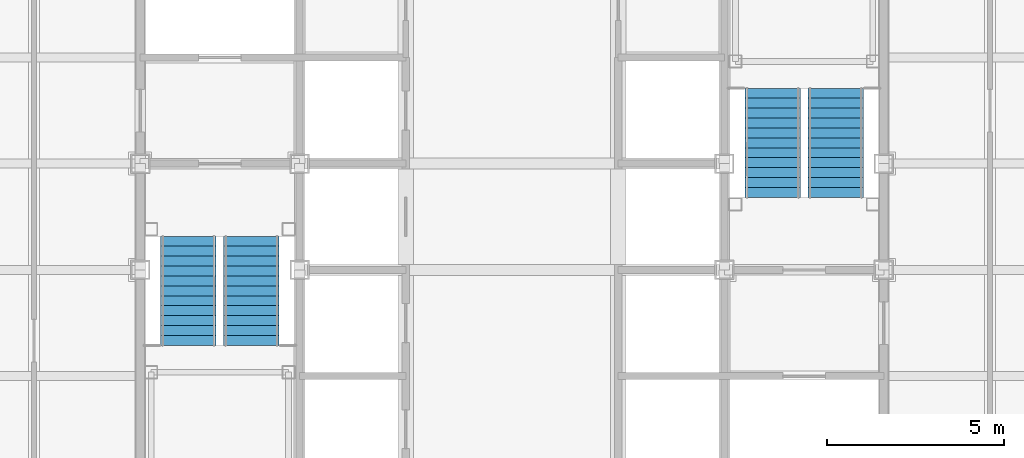
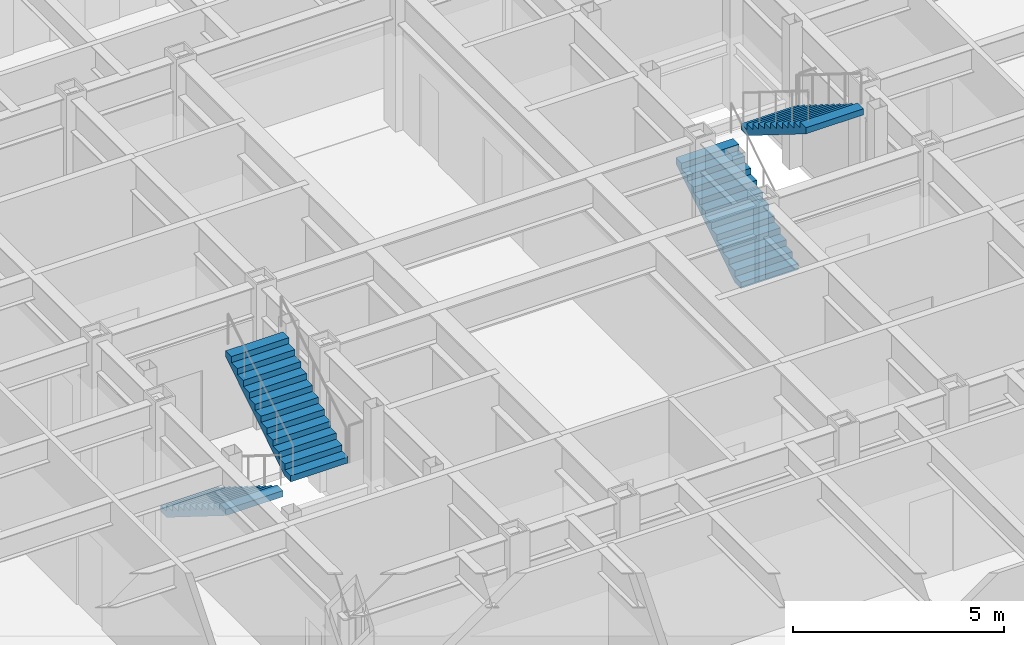
# One storey, part 14 of 16: 4 stair flights, 2 elements without a shape of their own.
"""IFC4 building model written with IfcOpenShell, lengths in metres."""

from ifc_helpers import new_model, si_unit, direction, frame, origin, place, context, subcontext, project, spatial, faceted_brep, material, type_object, element, aggregate, save


model = new_model("IFC4")

# Units and contexts
model_context = context("Model", 3, precision=1e-05, world=origin(), true_north=direction((0.0, 1.0)))
body_context = subcontext(model_context, "Body", "Model", "MODEL_VIEW")
ifc_project = project(units=[si_unit("LENGTHUNIT", "METRE"), si_unit("AREAUNIT", "SQUARE_METRE"), si_unit("VOLUMEUNIT", "CUBIC_METRE"), si_unit("PLANEANGLEUNIT", "RADIAN"), si_unit("MASSUNIT", "GRAM", prefix="KILO")], contexts=[model_context])

# Site, building, storey
site_placement = place(None, origin())
site = spatial("IfcSite", under=ifc_project, at=site_placement, CompositionType="ELEMENT")
building_placement = place(site_placement, origin())
building = spatial("IfcBuilding", under=site, at=building_placement, Name="Chuquiago Exchange Tower", CompositionType="ELEMENT")
storey_placement = place(building_placement, frame((0.0, 0.0, 243.300048828125)))
storey = spatial("IfcBuildingStorey", under=building, at=storey_placement, Name="L54", CompositionType="ELEMENT", Elevation=243.300048828125)

# Stair, stair flights
ifc_material_1 = material(Name="Concrete C30/37, precast", Category="concrete")
stair_type_1 = type_object("IfcStairType", Name="ST1 half-turn stair 4200", PredefinedType="HALF_TURN_STAIR", material=ifc_material_1)
stair_1_placement = place(storey_placement, origin())
stair_1 = element("IfcStair", 1, at=stair_1_placement, inside=storey, type_object=stair_type_1, Name="Stair ST1 L54", PredefinedType="HALF_TURN_STAIR")
ifc_material_2 = material(Name="Concrete C30/37, precast", Category="concrete")
stair_flight_type = type_object("IfcStairFlightType", Name="ST-F flight 1570 for 4200 storey", PredefinedType="STRAIGHT", material=ifc_material_2)
stair_flight_1_placement = place(storey_placement, frame((13.360107421875, 21.949951171875, 0.0), z_axis=(0.0, 0.0, 1.0), x_axis=(0.0, -1.0, 0.0)))
stair_flight_1 = element("IfcStairFlight", 2, at=stair_flight_1_placement, type_object=stair_flight_type, Name="ST1 flight 1", NumberOfRisers=12, NumberOfTreads=11, PredefinedType="STRAIGHT", RiserHeight=0.175, TreadLength=0.28, context=body_context, shape_type="Brep", body=[
    faceted_brep([(0.0, 0.78515625, 0.0), (0.0, 0.78515625, 0.175048828125), (0.280029296875, 0.78515625, 0.175048828125), (0.280029296875, 0.78515625, 0.35009765625), (0.56005859375, 0.78515625, 0.35009765625), (0.56005859375, 0.78515625, 0.52490234375), (0.840087890625, 0.78515625, 0.52490234375), (0.840087890625, 0.78515625, 0.699951171875), (1.1201171875, 0.78515625, 0.699951171875), (1.1201171875, 0.78515625, 0.875), (1.39990234375, 0.78515625, 0.875), (1.39990234375, 0.78515625, 1.050048828125), (1.679931640625, 0.78515625, 1.050048828125), (1.679931640625, 0.78515625, 1.22509765625), (1.9599609375, 0.78515625, 1.22509765625), (1.9599609375, 0.78515625, 1.39990234375), (2.239990234375, 0.78515625, 1.39990234375), (2.239990234375, 0.78515625, 1.574951171875), (2.52001953125, 0.78515625, 1.574951171875), (2.52001953125, 0.78515625, 1.75), (2.800048828125, 0.78515625, 1.75), (2.800048828125, 0.78515625, 1.925048828125), (3.080078125, 0.78515625, 1.925048828125), (3.080078125, 0.78515625, 1.748291015625), (0.28271484375, 0.78515625, 0.0), (0.28271484375, -0.78515625, 0.0), (3.080078125, -0.78515625, 1.748291015625), (3.080078125, -0.78515625, 1.925048828125), (2.800048828125, -0.78515625, 1.925048828125), (2.800048828125, -0.78515625, 1.75), (2.52001953125, -0.78515625, 1.75), (2.52001953125, -0.78515625, 1.574951171875), (2.239990234375, -0.78515625, 1.574951171875), (2.239990234375, -0.78515625, 1.39990234375), (1.9599609375, -0.78515625, 1.39990234375), (1.9599609375, -0.78515625, 1.22509765625), (1.679931640625, -0.78515625, 1.22509765625), (1.679931640625, -0.78515625, 1.050048828125), (1.39990234375, -0.78515625, 1.050048828125), (1.39990234375, -0.78515625, 0.875), (1.1201171875, -0.78515625, 0.875), (1.1201171875, -0.78515625, 0.699951171875), (0.840087890625, -0.78515625, 0.699951171875), (0.840087890625, -0.78515625, 0.52490234375), (0.56005859375, -0.78515625, 0.52490234375), (0.56005859375, -0.78515625, 0.35009765625), (0.280029296875, -0.78515625, 0.35009765625), (0.280029296875, -0.78515625, 0.175048828125), (0.0, -0.78515625, 0.175048828125), (0.0, -0.78515625, 0.0), (0.0, 0.392578125, 0.0), (0.0, 0.392578125, 0.175048828125), (0.0, 0.0, 0.0), (0.0, 0.0, 0.175048828125), (0.0, -0.392578125, 0.0), (0.0, -0.392578125, 0.175048828125), (0.280029296875, 0.392578125, 0.175048828125), (0.280029296875, 0.0, 0.175048828125), (0.280029296875, -0.392578125, 0.175048828125), (0.280029296875, 0.392578125, 0.35009765625), (0.280029296875, 0.0, 0.35009765625), (0.280029296875, -0.392578125, 0.35009765625), (0.56005859375, 0.392578125, 0.35009765625), (0.56005859375, 0.0, 0.35009765625), (0.56005859375, -0.392578125, 0.35009765625), (0.56005859375, 0.392578125, 0.52490234375), (0.56005859375, 0.0, 0.52490234375), (0.56005859375, -0.392578125, 0.52490234375), (0.840087890625, 0.392578125, 0.52490234375), (0.840087890625, 0.0, 0.52490234375), (0.840087890625, -0.392578125, 0.52490234375), (0.840087890625, 0.392578125, 0.699951171875), (0.840087890625, 0.0, 0.699951171875), (0.840087890625, -0.392578125, 0.699951171875), (1.1201171875, 0.392578125, 0.699951171875), (1.1201171875, 0.0, 0.699951171875), (1.1201171875, -0.392578125, 0.699951171875), (1.1201171875, 0.392578125, 0.875), (1.1201171875, 0.0, 0.875), (1.1201171875, -0.392578125, 0.875), (1.39990234375, 0.392578125, 0.875), (1.39990234375, 0.0, 0.875), (1.39990234375, -0.392578125, 0.875), (1.39990234375, 0.392578125, 1.050048828125), (1.39990234375, 0.0, 1.050048828125), (1.39990234375, -0.392578125, 1.050048828125), (1.679931640625, 0.392578125, 1.050048828125), (1.679931640625, 0.0, 1.050048828125), (1.679931640625, -0.392578125, 1.050048828125), (1.679931640625, 0.392578125, 1.22509765625), (1.679931640625, 0.0, 1.22509765625), (1.679931640625, -0.392578125, 1.22509765625), (1.9599609375, 0.392578125, 1.22509765625), (1.9599609375, 0.0, 1.22509765625), (1.9599609375, -0.392578125, 1.22509765625), (1.9599609375, 0.392578125, 1.39990234375), (1.9599609375, 0.0, 1.39990234375), (1.9599609375, -0.392578125, 1.39990234375), (2.239990234375, 0.392578125, 1.39990234375), (2.239990234375, 0.0, 1.39990234375), (2.239990234375, -0.392578125, 1.39990234375), (2.239990234375, 0.392578125, 1.574951171875), (2.239990234375, 0.0, 1.574951171875), (2.239990234375, -0.392578125, 1.574951171875), (2.52001953125, 0.392578125, 1.574951171875), (2.52001953125, 0.0, 1.574951171875), (2.52001953125, -0.392578125, 1.574951171875), (2.52001953125, 0.392578125, 1.75), (2.52001953125, 0.0, 1.75), (2.52001953125, -0.392578125, 1.75), (2.800048828125, 0.392578125, 1.75), (2.800048828125, 0.0, 1.75), (2.800048828125, -0.392578125, 1.75), (2.800048828125, 0.392578125, 1.925048828125), (2.800048828125, 0.0, 1.925048828125), (2.800048828125, -0.392578125, 1.925048828125), (3.080078125, 0.392578125, 1.925048828125), (3.080078125, 0.0, 1.925048828125), (3.080078125, -0.392578125, 1.925048828125), (3.080078125, 0.392578125, 1.748291015625), (3.080078125, 0.0, 1.748291015625), (3.080078125, -0.392578125, 1.748291015625), (0.28271484375, 0.392578125, 0.0), (0.28271484375, 0.0, 0.0), (0.28271484375, -0.392578125, 0.0)], [[[0, 1, 2, 3, 4, 5, 6, 7, 8, 9, 10, 11, 12, 13, 14, 15, 16, 17, 18, 19, 20, 21, 22, 23, 24]], [[25, 26, 27, 28, 29, 30, 31, 32, 33, 34, 35, 36, 37, 38, 39, 40, 41, 42, 43, 44, 45, 46, 47, 48, 49]], [[1, 0, 50, 51]], [[51, 50, 52, 53]], [[53, 52, 54, 55]], [[55, 54, 49, 48]], [[2, 1, 51, 56]], [[56, 51, 53, 57]], [[57, 53, 55, 58]], [[58, 55, 48, 47]], [[3, 2, 56, 59]], [[59, 56, 57, 60]], [[60, 57, 58, 61]], [[61, 58, 47, 46]], [[4, 3, 59, 62]], [[62, 59, 60, 63]], [[63, 60, 61, 64]], [[64, 61, 46, 45]], [[5, 4, 62, 65]], [[65, 62, 63, 66]], [[66, 63, 64, 67]], [[67, 64, 45, 44]], [[6, 5, 65, 68]], [[68, 65, 66, 69]], [[69, 66, 67, 70]], [[70, 67, 44, 43]], [[7, 6, 68, 71]], [[71, 68, 69, 72]], [[72, 69, 70, 73]], [[73, 70, 43, 42]], [[8, 7, 71, 74]], [[74, 71, 72, 75]], [[75, 72, 73, 76]], [[76, 73, 42, 41]], [[9, 8, 74, 77]], [[77, 74, 75, 78]], [[78, 75, 76, 79]], [[79, 76, 41, 40]], [[10, 9, 77, 80]], [[80, 77, 78, 81]], [[81, 78, 79, 82]], [[82, 79, 40, 39]], [[11, 10, 80, 83]], [[83, 80, 81, 84]], [[84, 81, 82, 85]], [[85, 82, 39, 38]], [[12, 11, 83, 86]], [[86, 83, 84, 87]], [[87, 84, 85, 88]], [[88, 85, 38, 37]], [[13, 12, 86, 89]], [[89, 86, 87, 90]], [[90, 87, 88, 91]], [[91, 88, 37, 36]], [[14, 13, 89, 92]], [[92, 89, 90, 93]], [[93, 90, 91, 94]], [[94, 91, 36, 35]], [[15, 14, 92, 95]], [[95, 92, 93, 96]], [[96, 93, 94, 97]], [[97, 94, 35, 34]], [[16, 15, 95, 98]], [[98, 95, 96, 99]], [[99, 96, 97, 100]], [[100, 97, 34, 33]], [[17, 16, 98, 101]], [[101, 98, 99, 102]], [[102, 99, 100, 103]], [[103, 100, 33, 32]], [[18, 17, 101, 104]], [[104, 101, 102, 105]], [[105, 102, 103, 106]], [[106, 103, 32, 31]], [[19, 18, 104, 107]], [[107, 104, 105, 108]], [[108, 105, 106, 109]], [[109, 106, 31, 30]], [[20, 19, 107, 110]], [[110, 107, 108, 111]], [[111, 108, 109, 112]], [[112, 109, 30, 29]], [[21, 20, 110, 113]], [[113, 110, 111, 114]], [[114, 111, 112, 115]], [[115, 112, 29, 28]], [[22, 21, 113, 116]], [[116, 113, 114, 117]], [[117, 114, 115, 118]], [[118, 115, 28, 27]], [[23, 22, 116, 119]], [[119, 116, 117, 120]], [[120, 117, 118, 121]], [[121, 118, 27, 26]], [[24, 23, 119, 122]], [[122, 119, 120, 123]], [[123, 120, 121, 124]], [[124, 121, 26, 25]], [[0, 24, 122, 50]], [[50, 122, 123, 52]], [[52, 123, 124, 54]], [[54, 124, 25, 49]]]),
])
stair_flight_2_placement = place(storey_placement, frame((15.139892578125, 18.8701171875, 2.099853515625), z_axis=(0.0, 0.0, 1.0), x_axis=(0.0, 1.0, 0.0)))
stair_flight_2 = element("IfcStairFlight", 3, at=stair_flight_2_placement, type_object=stair_flight_type, Name="ST1 flight 2", NumberOfRisers=12, NumberOfTreads=11, PredefinedType="STRAIGHT", RiserHeight=0.175, TreadLength=0.28, context=body_context, shape_type="Brep", body=[
    faceted_brep([(0.0, 0.78515625, 0.0), (0.0, 0.78515625, 0.175048828125), (0.280029296875, 0.78515625, 0.175048828125), (0.280029296875, 0.78515625, 0.35009765625), (0.56005859375, 0.78515625, 0.35009765625), (0.56005859375, 0.78515625, 0.52490234375), (0.840087890625, 0.78515625, 0.52490234375), (0.840087890625, 0.78515625, 0.699951171875), (1.1201171875, 0.78515625, 0.699951171875), (1.1201171875, 0.78515625, 0.875), (1.39990234375, 0.78515625, 0.875), (1.39990234375, 0.78515625, 1.050048828125), (1.679931640625, 0.78515625, 1.050048828125), (1.679931640625, 0.78515625, 1.22509765625), (1.9599609375, 0.78515625, 1.22509765625), (1.9599609375, 0.78515625, 1.39990234375), (2.239990234375, 0.78515625, 1.39990234375), (2.239990234375, 0.78515625, 1.574951171875), (2.52001953125, 0.78515625, 1.574951171875), (2.52001953125, 0.78515625, 1.75), (2.800048828125, 0.78515625, 1.75), (2.800048828125, 0.78515625, 1.925048828125), (3.080078125, 0.78515625, 1.925048828125), (3.080078125, 0.78515625, 1.748291015625), (0.28271484375, 0.78515625, 0.0), (0.28271484375, -0.78515625, 0.0), (3.080078125, -0.78515625, 1.748291015625), (3.080078125, -0.78515625, 1.925048828125), (2.800048828125, -0.78515625, 1.925048828125), (2.800048828125, -0.78515625, 1.75), (2.52001953125, -0.78515625, 1.75), (2.52001953125, -0.78515625, 1.574951171875), (2.239990234375, -0.78515625, 1.574951171875), (2.239990234375, -0.78515625, 1.39990234375), (1.9599609375, -0.78515625, 1.39990234375), (1.9599609375, -0.78515625, 1.22509765625), (1.679931640625, -0.78515625, 1.22509765625), (1.679931640625, -0.78515625, 1.050048828125), (1.39990234375, -0.78515625, 1.050048828125), (1.39990234375, -0.78515625, 0.875), (1.1201171875, -0.78515625, 0.875), (1.1201171875, -0.78515625, 0.699951171875), (0.840087890625, -0.78515625, 0.699951171875), (0.840087890625, -0.78515625, 0.52490234375), (0.56005859375, -0.78515625, 0.52490234375), (0.56005859375, -0.78515625, 0.35009765625), (0.280029296875, -0.78515625, 0.35009765625), (0.280029296875, -0.78515625, 0.175048828125), (0.0, -0.78515625, 0.175048828125), (0.0, -0.78515625, 0.0), (0.0, 0.392578125, 0.0), (0.0, 0.392578125, 0.175048828125), (0.0, 0.0, 0.0), (0.0, 0.0, 0.175048828125), (0.0, -0.392578125, 0.0), (0.0, -0.392578125, 0.175048828125), (0.280029296875, 0.392578125, 0.175048828125), (0.280029296875, 0.0, 0.175048828125), (0.280029296875, -0.392578125, 0.175048828125), (0.280029296875, 0.392578125, 0.35009765625), (0.280029296875, 0.0, 0.35009765625), (0.280029296875, -0.392578125, 0.35009765625), (0.56005859375, 0.392578125, 0.35009765625), (0.56005859375, 0.0, 0.35009765625), (0.56005859375, -0.392578125, 0.35009765625), (0.56005859375, 0.392578125, 0.52490234375), (0.56005859375, 0.0, 0.52490234375), (0.56005859375, -0.392578125, 0.52490234375), (0.840087890625, 0.392578125, 0.52490234375), (0.840087890625, 0.0, 0.52490234375), (0.840087890625, -0.392578125, 0.52490234375), (0.840087890625, 0.392578125, 0.699951171875), (0.840087890625, 0.0, 0.699951171875), (0.840087890625, -0.392578125, 0.699951171875), (1.1201171875, 0.392578125, 0.699951171875), (1.1201171875, 0.0, 0.699951171875), (1.1201171875, -0.392578125, 0.699951171875), (1.1201171875, 0.392578125, 0.875), (1.1201171875, 0.0, 0.875), (1.1201171875, -0.392578125, 0.875), (1.39990234375, 0.392578125, 0.875), (1.39990234375, 0.0, 0.875), (1.39990234375, -0.392578125, 0.875), (1.39990234375, 0.392578125, 1.050048828125), (1.39990234375, 0.0, 1.050048828125), (1.39990234375, -0.392578125, 1.050048828125), (1.679931640625, 0.392578125, 1.050048828125), (1.679931640625, 0.0, 1.050048828125), (1.679931640625, -0.392578125, 1.050048828125), (1.679931640625, 0.392578125, 1.22509765625), (1.679931640625, 0.0, 1.22509765625), (1.679931640625, -0.392578125, 1.22509765625), (1.9599609375, 0.392578125, 1.22509765625), (1.9599609375, 0.0, 1.22509765625), (1.9599609375, -0.392578125, 1.22509765625), (1.9599609375, 0.392578125, 1.39990234375), (1.9599609375, 0.0, 1.39990234375), (1.9599609375, -0.392578125, 1.39990234375), (2.239990234375, 0.392578125, 1.39990234375), (2.239990234375, 0.0, 1.39990234375), (2.239990234375, -0.392578125, 1.39990234375), (2.239990234375, 0.392578125, 1.574951171875), (2.239990234375, 0.0, 1.574951171875), (2.239990234375, -0.392578125, 1.574951171875), (2.52001953125, 0.392578125, 1.574951171875), (2.52001953125, 0.0, 1.574951171875), (2.52001953125, -0.392578125, 1.574951171875), (2.52001953125, 0.392578125, 1.75), (2.52001953125, 0.0, 1.75), (2.52001953125, -0.392578125, 1.75), (2.800048828125, 0.392578125, 1.75), (2.800048828125, 0.0, 1.75), (2.800048828125, -0.392578125, 1.75), (2.800048828125, 0.392578125, 1.925048828125), (2.800048828125, 0.0, 1.925048828125), (2.800048828125, -0.392578125, 1.925048828125), (3.080078125, 0.392578125, 1.925048828125), (3.080078125, 0.0, 1.925048828125), (3.080078125, -0.392578125, 1.925048828125), (3.080078125, 0.392578125, 1.748291015625), (3.080078125, 0.0, 1.748291015625), (3.080078125, -0.392578125, 1.748291015625), (0.28271484375, 0.392578125, 0.0), (0.28271484375, 0.0, 0.0), (0.28271484375, -0.392578125, 0.0)], [[[0, 1, 2, 3, 4, 5, 6, 7, 8, 9, 10, 11, 12, 13, 14, 15, 16, 17, 18, 19, 20, 21, 22, 23, 24]], [[25, 26, 27, 28, 29, 30, 31, 32, 33, 34, 35, 36, 37, 38, 39, 40, 41, 42, 43, 44, 45, 46, 47, 48, 49]], [[1, 0, 50, 51]], [[51, 50, 52, 53]], [[53, 52, 54, 55]], [[55, 54, 49, 48]], [[2, 1, 51, 56]], [[56, 51, 53, 57]], [[57, 53, 55, 58]], [[58, 55, 48, 47]], [[3, 2, 56, 59]], [[59, 56, 57, 60]], [[60, 57, 58, 61]], [[61, 58, 47, 46]], [[4, 3, 59, 62]], [[62, 59, 60, 63]], [[63, 60, 61, 64]], [[64, 61, 46, 45]], [[5, 4, 62, 65]], [[65, 62, 63, 66]], [[66, 63, 64, 67]], [[67, 64, 45, 44]], [[6, 5, 65, 68]], [[68, 65, 66, 69]], [[69, 66, 67, 70]], [[70, 67, 44, 43]], [[7, 6, 68, 71]], [[71, 68, 69, 72]], [[72, 69, 70, 73]], [[73, 70, 43, 42]], [[8, 7, 71, 74]], [[74, 71, 72, 75]], [[75, 72, 73, 76]], [[76, 73, 42, 41]], [[9, 8, 74, 77]], [[77, 74, 75, 78]], [[78, 75, 76, 79]], [[79, 76, 41, 40]], [[10, 9, 77, 80]], [[80, 77, 78, 81]], [[81, 78, 79, 82]], [[82, 79, 40, 39]], [[11, 10, 80, 83]], [[83, 80, 81, 84]], [[84, 81, 82, 85]], [[85, 82, 39, 38]], [[12, 11, 83, 86]], [[86, 83, 84, 87]], [[87, 84, 85, 88]], [[88, 85, 38, 37]], [[13, 12, 86, 89]], [[89, 86, 87, 90]], [[90, 87, 88, 91]], [[91, 88, 37, 36]], [[14, 13, 89, 92]], [[92, 89, 90, 93]], [[93, 90, 91, 94]], [[94, 91, 36, 35]], [[15, 14, 92, 95]], [[95, 92, 93, 96]], [[96, 93, 94, 97]], [[97, 94, 35, 34]], [[16, 15, 95, 98]], [[98, 95, 96, 99]], [[99, 96, 97, 100]], [[100, 97, 34, 33]], [[17, 16, 98, 101]], [[101, 98, 99, 102]], [[102, 99, 100, 103]], [[103, 100, 33, 32]], [[18, 17, 101, 104]], [[104, 101, 102, 105]], [[105, 102, 103, 106]], [[106, 103, 32, 31]], [[19, 18, 104, 107]], [[107, 104, 105, 108]], [[108, 105, 106, 109]], [[109, 106, 31, 30]], [[20, 19, 107, 110]], [[110, 107, 108, 111]], [[111, 108, 109, 112]], [[112, 109, 30, 29]], [[21, 20, 110, 113]], [[113, 110, 111, 114]], [[114, 111, 112, 115]], [[115, 112, 29, 28]], [[22, 21, 113, 116]], [[116, 113, 114, 117]], [[117, 114, 115, 118]], [[118, 115, 28, 27]], [[23, 22, 116, 119]], [[119, 116, 117, 120]], [[120, 117, 118, 121]], [[121, 118, 27, 26]], [[24, 23, 119, 122]], [[122, 119, 120, 123]], [[123, 120, 121, 124]], [[124, 121, 26, 25]], [[0, 24, 122, 50]], [[50, 122, 123, 52]], [[52, 123, 124, 54]], [[54, 124, 25, 49]]]),
])
aggregate(stair_1, [stair_flight_1, stair_flight_2])

ifc_material_3 = material(Name="Concrete C30/37, precast", Category="concrete")
stair_type_2 = type_object("IfcStairType", Name="ST2 half-turn stair 4200", PredefinedType="HALF_TURN_STAIR", material=ifc_material_3)
stair_2_placement = place(storey_placement, origin())
stair_2 = element("IfcStair", 4, at=stair_2_placement, inside=storey, type_object=stair_type_2, Name="Stair ST2 L54", PredefinedType="HALF_TURN_STAIR")
stair_flight_3_placement = place(storey_placement, frame((29.860107421875, 23.050048828125, 0.0), z_axis=(0.0, 0.0, 1.0), x_axis=(0.0, 1.0, 0.0)))
stair_flight_3 = element("IfcStairFlight", 5, at=stair_flight_3_placement, type_object=stair_flight_type, Name="ST2 flight 1", NumberOfRisers=12, NumberOfTreads=11, PredefinedType="STRAIGHT", RiserHeight=0.175, TreadLength=0.28, context=body_context, shape_type="Brep", body=[
    faceted_brep([(0.0, 0.78515625, 0.0), (0.0, 0.78515625, 0.175048828125), (0.280029296875, 0.78515625, 0.175048828125), (0.280029296875, 0.78515625, 0.35009765625), (0.56005859375, 0.78515625, 0.35009765625), (0.56005859375, 0.78515625, 0.52490234375), (0.840087890625, 0.78515625, 0.52490234375), (0.840087890625, 0.78515625, 0.699951171875), (1.1201171875, 0.78515625, 0.699951171875), (1.1201171875, 0.78515625, 0.875), (1.39990234375, 0.78515625, 0.875), (1.39990234375, 0.78515625, 1.050048828125), (1.679931640625, 0.78515625, 1.050048828125), (1.679931640625, 0.78515625, 1.22509765625), (1.9599609375, 0.78515625, 1.22509765625), (1.9599609375, 0.78515625, 1.39990234375), (2.239990234375, 0.78515625, 1.39990234375), (2.239990234375, 0.78515625, 1.574951171875), (2.52001953125, 0.78515625, 1.574951171875), (2.52001953125, 0.78515625, 1.75), (2.800048828125, 0.78515625, 1.75), (2.800048828125, 0.78515625, 1.925048828125), (3.080078125, 0.78515625, 1.925048828125), (3.080078125, 0.78515625, 1.748291015625), (0.28271484375, 0.78515625, 0.0), (0.28271484375, -0.78515625, 0.0), (3.080078125, -0.78515625, 1.748291015625), (3.080078125, -0.78515625, 1.925048828125), (2.800048828125, -0.78515625, 1.925048828125), (2.800048828125, -0.78515625, 1.75), (2.52001953125, -0.78515625, 1.75), (2.52001953125, -0.78515625, 1.574951171875), (2.239990234375, -0.78515625, 1.574951171875), (2.239990234375, -0.78515625, 1.39990234375), (1.9599609375, -0.78515625, 1.39990234375), (1.9599609375, -0.78515625, 1.22509765625), (1.679931640625, -0.78515625, 1.22509765625), (1.679931640625, -0.78515625, 1.050048828125), (1.39990234375, -0.78515625, 1.050048828125), (1.39990234375, -0.78515625, 0.875), (1.1201171875, -0.78515625, 0.875), (1.1201171875, -0.78515625, 0.699951171875), (0.840087890625, -0.78515625, 0.699951171875), (0.840087890625, -0.78515625, 0.52490234375), (0.56005859375, -0.78515625, 0.52490234375), (0.56005859375, -0.78515625, 0.35009765625), (0.280029296875, -0.78515625, 0.35009765625), (0.280029296875, -0.78515625, 0.175048828125), (0.0, -0.78515625, 0.175048828125), (0.0, -0.78515625, 0.0), (0.0, 0.392578125, 0.0), (0.0, 0.392578125, 0.175048828125), (0.0, 0.0, 0.0), (0.0, 0.0, 0.175048828125), (0.0, -0.392578125, 0.0), (0.0, -0.392578125, 0.175048828125), (0.280029296875, 0.392578125, 0.175048828125), (0.280029296875, 0.0, 0.175048828125), (0.280029296875, -0.392578125, 0.175048828125), (0.280029296875, 0.392578125, 0.35009765625), (0.280029296875, 0.0, 0.35009765625), (0.280029296875, -0.392578125, 0.35009765625), (0.56005859375, 0.392578125, 0.35009765625), (0.56005859375, 0.0, 0.35009765625), (0.56005859375, -0.392578125, 0.35009765625), (0.56005859375, 0.392578125, 0.52490234375), (0.56005859375, 0.0, 0.52490234375), (0.56005859375, -0.392578125, 0.52490234375), (0.840087890625, 0.392578125, 0.52490234375), (0.840087890625, 0.0, 0.52490234375), (0.840087890625, -0.392578125, 0.52490234375), (0.840087890625, 0.392578125, 0.699951171875), (0.840087890625, 0.0, 0.699951171875), (0.840087890625, -0.392578125, 0.699951171875), (1.1201171875, 0.392578125, 0.699951171875), (1.1201171875, 0.0, 0.699951171875), (1.1201171875, -0.392578125, 0.699951171875), (1.1201171875, 0.392578125, 0.875), (1.1201171875, 0.0, 0.875), (1.1201171875, -0.392578125, 0.875), (1.39990234375, 0.392578125, 0.875), (1.39990234375, 0.0, 0.875), (1.39990234375, -0.392578125, 0.875), (1.39990234375, 0.392578125, 1.050048828125), (1.39990234375, 0.0, 1.050048828125), (1.39990234375, -0.392578125, 1.050048828125), (1.679931640625, 0.392578125, 1.050048828125), (1.679931640625, 0.0, 1.050048828125), (1.679931640625, -0.392578125, 1.050048828125), (1.679931640625, 0.392578125, 1.22509765625), (1.679931640625, 0.0, 1.22509765625), (1.679931640625, -0.392578125, 1.22509765625), (1.9599609375, 0.392578125, 1.22509765625), (1.9599609375, 0.0, 1.22509765625), (1.9599609375, -0.392578125, 1.22509765625), (1.9599609375, 0.392578125, 1.39990234375), (1.9599609375, 0.0, 1.39990234375), (1.9599609375, -0.392578125, 1.39990234375), (2.239990234375, 0.392578125, 1.39990234375), (2.239990234375, 0.0, 1.39990234375), (2.239990234375, -0.392578125, 1.39990234375), (2.239990234375, 0.392578125, 1.574951171875), (2.239990234375, 0.0, 1.574951171875), (2.239990234375, -0.392578125, 1.574951171875), (2.52001953125, 0.392578125, 1.574951171875), (2.52001953125, 0.0, 1.574951171875), (2.52001953125, -0.392578125, 1.574951171875), (2.52001953125, 0.392578125, 1.75), (2.52001953125, 0.0, 1.75), (2.52001953125, -0.392578125, 1.75), (2.800048828125, 0.392578125, 1.75), (2.800048828125, 0.0, 1.75), (2.800048828125, -0.392578125, 1.75), (2.800048828125, 0.392578125, 1.925048828125), (2.800048828125, 0.0, 1.925048828125), (2.800048828125, -0.392578125, 1.925048828125), (3.080078125, 0.392578125, 1.925048828125), (3.080078125, 0.0, 1.925048828125), (3.080078125, -0.392578125, 1.925048828125), (3.080078125, 0.392578125, 1.748291015625), (3.080078125, 0.0, 1.748291015625), (3.080078125, -0.392578125, 1.748291015625), (0.28271484375, 0.392578125, 0.0), (0.28271484375, 0.0, 0.0), (0.28271484375, -0.392578125, 0.0)], [[[0, 1, 2, 3, 4, 5, 6, 7, 8, 9, 10, 11, 12, 13, 14, 15, 16, 17, 18, 19, 20, 21, 22, 23, 24]], [[25, 26, 27, 28, 29, 30, 31, 32, 33, 34, 35, 36, 37, 38, 39, 40, 41, 42, 43, 44, 45, 46, 47, 48, 49]], [[1, 0, 50, 51]], [[51, 50, 52, 53]], [[53, 52, 54, 55]], [[55, 54, 49, 48]], [[2, 1, 51, 56]], [[56, 51, 53, 57]], [[57, 53, 55, 58]], [[58, 55, 48, 47]], [[3, 2, 56, 59]], [[59, 56, 57, 60]], [[60, 57, 58, 61]], [[61, 58, 47, 46]], [[4, 3, 59, 62]], [[62, 59, 60, 63]], [[63, 60, 61, 64]], [[64, 61, 46, 45]], [[5, 4, 62, 65]], [[65, 62, 63, 66]], [[66, 63, 64, 67]], [[67, 64, 45, 44]], [[6, 5, 65, 68]], [[68, 65, 66, 69]], [[69, 66, 67, 70]], [[70, 67, 44, 43]], [[7, 6, 68, 71]], [[71, 68, 69, 72]], [[72, 69, 70, 73]], [[73, 70, 43, 42]], [[8, 7, 71, 74]], [[74, 71, 72, 75]], [[75, 72, 73, 76]], [[76, 73, 42, 41]], [[9, 8, 74, 77]], [[77, 74, 75, 78]], [[78, 75, 76, 79]], [[79, 76, 41, 40]], [[10, 9, 77, 80]], [[80, 77, 78, 81]], [[81, 78, 79, 82]], [[82, 79, 40, 39]], [[11, 10, 80, 83]], [[83, 80, 81, 84]], [[84, 81, 82, 85]], [[85, 82, 39, 38]], [[12, 11, 83, 86]], [[86, 83, 84, 87]], [[87, 84, 85, 88]], [[88, 85, 38, 37]], [[13, 12, 86, 89]], [[89, 86, 87, 90]], [[90, 87, 88, 91]], [[91, 88, 37, 36]], [[14, 13, 89, 92]], [[92, 89, 90, 93]], [[93, 90, 91, 94]], [[94, 91, 36, 35]], [[15, 14, 92, 95]], [[95, 92, 93, 96]], [[96, 93, 94, 97]], [[97, 94, 35, 34]], [[16, 15, 95, 98]], [[98, 95, 96, 99]], [[99, 96, 97, 100]], [[100, 97, 34, 33]], [[17, 16, 98, 101]], [[101, 98, 99, 102]], [[102, 99, 100, 103]], [[103, 100, 33, 32]], [[18, 17, 101, 104]], [[104, 101, 102, 105]], [[105, 102, 103, 106]], [[106, 103, 32, 31]], [[19, 18, 104, 107]], [[107, 104, 105, 108]], [[108, 105, 106, 109]], [[109, 106, 31, 30]], [[20, 19, 107, 110]], [[110, 107, 108, 111]], [[111, 108, 109, 112]], [[112, 109, 30, 29]], [[21, 20, 110, 113]], [[113, 110, 111, 114]], [[114, 111, 112, 115]], [[115, 112, 29, 28]], [[22, 21, 113, 116]], [[116, 113, 114, 117]], [[117, 114, 115, 118]], [[118, 115, 28, 27]], [[23, 22, 116, 119]], [[119, 116, 117, 120]], [[120, 117, 118, 121]], [[121, 118, 27, 26]], [[24, 23, 119, 122]], [[122, 119, 120, 123]], [[123, 120, 121, 124]], [[124, 121, 26, 25]], [[0, 24, 122, 50]], [[50, 122, 123, 52]], [[52, 123, 124, 54]], [[54, 124, 25, 49]]]),
])
stair_flight_4_placement = place(storey_placement, frame((31.639892578125, 26.1298828125, 2.099853515625), z_axis=(0.0, 0.0, 1.0), x_axis=(0.0, -1.0, 0.0)))
stair_flight_4 = element("IfcStairFlight", 6, at=stair_flight_4_placement, type_object=stair_flight_type, Name="ST2 flight 2", NumberOfRisers=12, NumberOfTreads=11, PredefinedType="STRAIGHT", RiserHeight=0.175, TreadLength=0.28, context=body_context, shape_type="Brep", body=[
    faceted_brep([(0.0, 0.78515625, 0.0), (0.0, 0.78515625, 0.175048828125), (0.280029296875, 0.78515625, 0.175048828125), (0.280029296875, 0.78515625, 0.35009765625), (0.56005859375, 0.78515625, 0.35009765625), (0.56005859375, 0.78515625, 0.52490234375), (0.840087890625, 0.78515625, 0.52490234375), (0.840087890625, 0.78515625, 0.699951171875), (1.1201171875, 0.78515625, 0.699951171875), (1.1201171875, 0.78515625, 0.875), (1.39990234375, 0.78515625, 0.875), (1.39990234375, 0.78515625, 1.050048828125), (1.679931640625, 0.78515625, 1.050048828125), (1.679931640625, 0.78515625, 1.22509765625), (1.9599609375, 0.78515625, 1.22509765625), (1.9599609375, 0.78515625, 1.39990234375), (2.239990234375, 0.78515625, 1.39990234375), (2.239990234375, 0.78515625, 1.574951171875), (2.52001953125, 0.78515625, 1.574951171875), (2.52001953125, 0.78515625, 1.75), (2.800048828125, 0.78515625, 1.75), (2.800048828125, 0.78515625, 1.925048828125), (3.080078125, 0.78515625, 1.925048828125), (3.080078125, 0.78515625, 1.748291015625), (0.28271484375, 0.78515625, 0.0), (0.28271484375, -0.78515625, 0.0), (3.080078125, -0.78515625, 1.748291015625), (3.080078125, -0.78515625, 1.925048828125), (2.800048828125, -0.78515625, 1.925048828125), (2.800048828125, -0.78515625, 1.75), (2.52001953125, -0.78515625, 1.75), (2.52001953125, -0.78515625, 1.574951171875), (2.239990234375, -0.78515625, 1.574951171875), (2.239990234375, -0.78515625, 1.39990234375), (1.9599609375, -0.78515625, 1.39990234375), (1.9599609375, -0.78515625, 1.22509765625), (1.679931640625, -0.78515625, 1.22509765625), (1.679931640625, -0.78515625, 1.050048828125), (1.39990234375, -0.78515625, 1.050048828125), (1.39990234375, -0.78515625, 0.875), (1.1201171875, -0.78515625, 0.875), (1.1201171875, -0.78515625, 0.699951171875), (0.840087890625, -0.78515625, 0.699951171875), (0.840087890625, -0.78515625, 0.52490234375), (0.56005859375, -0.78515625, 0.52490234375), (0.56005859375, -0.78515625, 0.35009765625), (0.280029296875, -0.78515625, 0.35009765625), (0.280029296875, -0.78515625, 0.175048828125), (0.0, -0.78515625, 0.175048828125), (0.0, -0.78515625, 0.0), (0.0, 0.392578125, 0.0), (0.0, 0.392578125, 0.175048828125), (0.0, 0.0, 0.0), (0.0, 0.0, 0.175048828125), (0.0, -0.392578125, 0.0), (0.0, -0.392578125, 0.175048828125), (0.280029296875, 0.392578125, 0.175048828125), (0.280029296875, 0.0, 0.175048828125), (0.280029296875, -0.392578125, 0.175048828125), (0.280029296875, 0.392578125, 0.35009765625), (0.280029296875, 0.0, 0.35009765625), (0.280029296875, -0.392578125, 0.35009765625), (0.56005859375, 0.392578125, 0.35009765625), (0.56005859375, 0.0, 0.35009765625), (0.56005859375, -0.392578125, 0.35009765625), (0.56005859375, 0.392578125, 0.52490234375), (0.56005859375, 0.0, 0.52490234375), (0.56005859375, -0.392578125, 0.52490234375), (0.840087890625, 0.392578125, 0.52490234375), (0.840087890625, 0.0, 0.52490234375), (0.840087890625, -0.392578125, 0.52490234375), (0.840087890625, 0.392578125, 0.699951171875), (0.840087890625, 0.0, 0.699951171875), (0.840087890625, -0.392578125, 0.699951171875), (1.1201171875, 0.392578125, 0.699951171875), (1.1201171875, 0.0, 0.699951171875), (1.1201171875, -0.392578125, 0.699951171875), (1.1201171875, 0.392578125, 0.875), (1.1201171875, 0.0, 0.875), (1.1201171875, -0.392578125, 0.875), (1.39990234375, 0.392578125, 0.875), (1.39990234375, 0.0, 0.875), (1.39990234375, -0.392578125, 0.875), (1.39990234375, 0.392578125, 1.050048828125), (1.39990234375, 0.0, 1.050048828125), (1.39990234375, -0.392578125, 1.050048828125), (1.679931640625, 0.392578125, 1.050048828125), (1.679931640625, 0.0, 1.050048828125), (1.679931640625, -0.392578125, 1.050048828125), (1.679931640625, 0.392578125, 1.22509765625), (1.679931640625, 0.0, 1.22509765625), (1.679931640625, -0.392578125, 1.22509765625), (1.9599609375, 0.392578125, 1.22509765625), (1.9599609375, 0.0, 1.22509765625), (1.9599609375, -0.392578125, 1.22509765625), (1.9599609375, 0.392578125, 1.39990234375), (1.9599609375, 0.0, 1.39990234375), (1.9599609375, -0.392578125, 1.39990234375), (2.239990234375, 0.392578125, 1.39990234375), (2.239990234375, 0.0, 1.39990234375), (2.239990234375, -0.392578125, 1.39990234375), (2.239990234375, 0.392578125, 1.574951171875), (2.239990234375, 0.0, 1.574951171875), (2.239990234375, -0.392578125, 1.574951171875), (2.52001953125, 0.392578125, 1.574951171875), (2.52001953125, 0.0, 1.574951171875), (2.52001953125, -0.392578125, 1.574951171875), (2.52001953125, 0.392578125, 1.75), (2.52001953125, 0.0, 1.75), (2.52001953125, -0.392578125, 1.75), (2.800048828125, 0.392578125, 1.75), (2.800048828125, 0.0, 1.75), (2.800048828125, -0.392578125, 1.75), (2.800048828125, 0.392578125, 1.925048828125), (2.800048828125, 0.0, 1.925048828125), (2.800048828125, -0.392578125, 1.925048828125), (3.080078125, 0.392578125, 1.925048828125), (3.080078125, 0.0, 1.925048828125), (3.080078125, -0.392578125, 1.925048828125), (3.080078125, 0.392578125, 1.748291015625), (3.080078125, 0.0, 1.748291015625), (3.080078125, -0.392578125, 1.748291015625), (0.28271484375, 0.392578125, 0.0), (0.28271484375, 0.0, 0.0), (0.28271484375, -0.392578125, 0.0)], [[[0, 1, 2, 3, 4, 5, 6, 7, 8, 9, 10, 11, 12, 13, 14, 15, 16, 17, 18, 19, 20, 21, 22, 23, 24]], [[25, 26, 27, 28, 29, 30, 31, 32, 33, 34, 35, 36, 37, 38, 39, 40, 41, 42, 43, 44, 45, 46, 47, 48, 49]], [[1, 0, 50, 51]], [[51, 50, 52, 53]], [[53, 52, 54, 55]], [[55, 54, 49, 48]], [[2, 1, 51, 56]], [[56, 51, 53, 57]], [[57, 53, 55, 58]], [[58, 55, 48, 47]], [[3, 2, 56, 59]], [[59, 56, 57, 60]], [[60, 57, 58, 61]], [[61, 58, 47, 46]], [[4, 3, 59, 62]], [[62, 59, 60, 63]], [[63, 60, 61, 64]], [[64, 61, 46, 45]], [[5, 4, 62, 65]], [[65, 62, 63, 66]], [[66, 63, 64, 67]], [[67, 64, 45, 44]], [[6, 5, 65, 68]], [[68, 65, 66, 69]], [[69, 66, 67, 70]], [[70, 67, 44, 43]], [[7, 6, 68, 71]], [[71, 68, 69, 72]], [[72, 69, 70, 73]], [[73, 70, 43, 42]], [[8, 7, 71, 74]], [[74, 71, 72, 75]], [[75, 72, 73, 76]], [[76, 73, 42, 41]], [[9, 8, 74, 77]], [[77, 74, 75, 78]], [[78, 75, 76, 79]], [[79, 76, 41, 40]], [[10, 9, 77, 80]], [[80, 77, 78, 81]], [[81, 78, 79, 82]], [[82, 79, 40, 39]], [[11, 10, 80, 83]], [[83, 80, 81, 84]], [[84, 81, 82, 85]], [[85, 82, 39, 38]], [[12, 11, 83, 86]], [[86, 83, 84, 87]], [[87, 84, 85, 88]], [[88, 85, 38, 37]], [[13, 12, 86, 89]], [[89, 86, 87, 90]], [[90, 87, 88, 91]], [[91, 88, 37, 36]], [[14, 13, 89, 92]], [[92, 89, 90, 93]], [[93, 90, 91, 94]], [[94, 91, 36, 35]], [[15, 14, 92, 95]], [[95, 92, 93, 96]], [[96, 93, 94, 97]], [[97, 94, 35, 34]], [[16, 15, 95, 98]], [[98, 95, 96, 99]], [[99, 96, 97, 100]], [[100, 97, 34, 33]], [[17, 16, 98, 101]], [[101, 98, 99, 102]], [[102, 99, 100, 103]], [[103, 100, 33, 32]], [[18, 17, 101, 104]], [[104, 101, 102, 105]], [[105, 102, 103, 106]], [[106, 103, 32, 31]], [[19, 18, 104, 107]], [[107, 104, 105, 108]], [[108, 105, 106, 109]], [[109, 106, 31, 30]], [[20, 19, 107, 110]], [[110, 107, 108, 111]], [[111, 108, 109, 112]], [[112, 109, 30, 29]], [[21, 20, 110, 113]], [[113, 110, 111, 114]], [[114, 111, 112, 115]], [[115, 112, 29, 28]], [[22, 21, 113, 116]], [[116, 113, 114, 117]], [[117, 114, 115, 118]], [[118, 115, 28, 27]], [[23, 22, 116, 119]], [[119, 116, 117, 120]], [[120, 117, 118, 121]], [[121, 118, 27, 26]], [[24, 23, 119, 122]], [[122, 119, 120, 123]], [[123, 120, 121, 124]], [[124, 121, 26, 25]], [[0, 24, 122, 50]], [[50, 122, 123, 52]], [[52, 123, 124, 54]], [[54, 124, 25, 49]]]),
])
aggregate(stair_2, [stair_flight_3, stair_flight_4])

save(model, "model.ifc")
